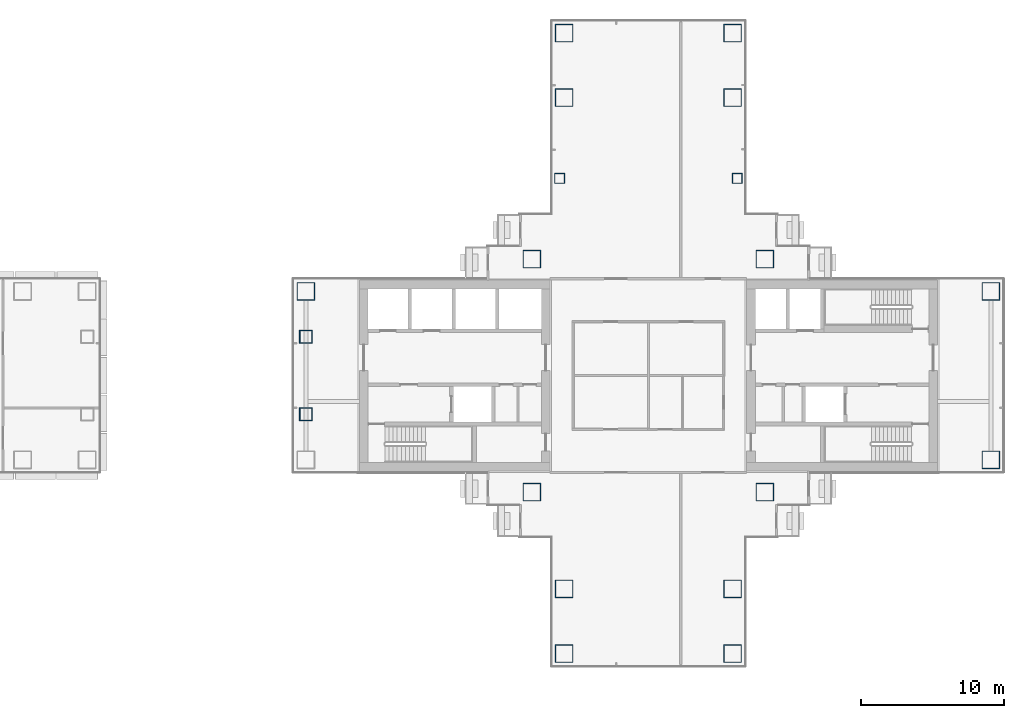
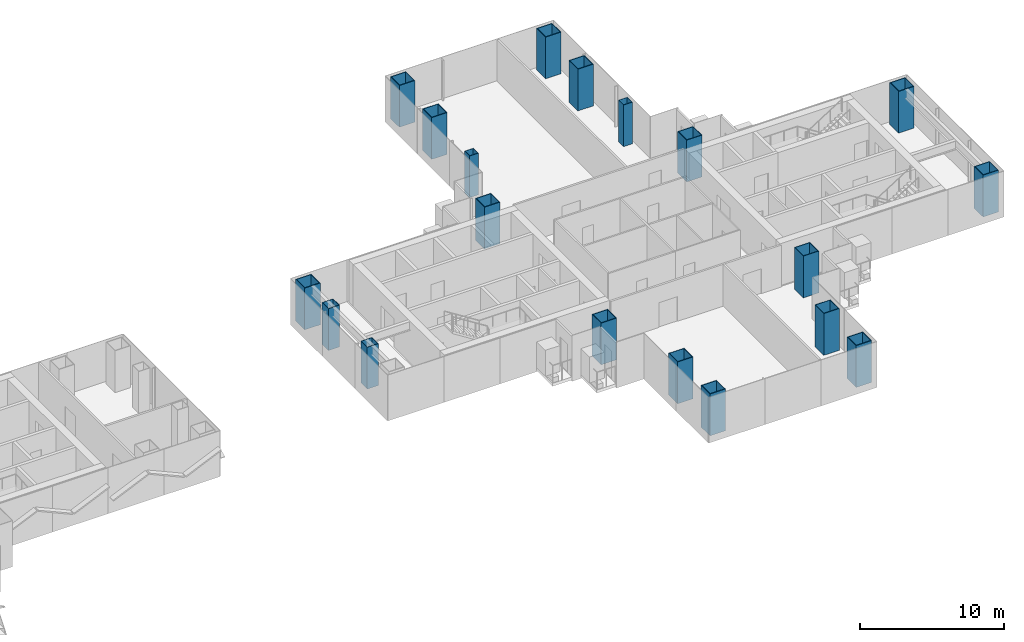
# One storey, part 2 of 19: 19 columns.
"""IFC4 building model written with IfcOpenShell, lengths in metres."""

from ifc_helpers import new_model, si_unit, direction, frame, origin, origin_2d, place, context, subcontext, project, spatial, hollow_rectangle, extrude, material, material_profile, profile_set, type_object, element, save


model = new_model("IFC4")

# Units and contexts
model_context = context("Model", 3, precision=1e-05, world=origin(), true_north=direction((0.0, 1.0)))
body_context = subcontext(model_context, "Body", "Model", "MODEL_VIEW")
ifc_project = project(units=[si_unit("LENGTHUNIT", "METRE"), si_unit("AREAUNIT", "SQUARE_METRE"), si_unit("VOLUMEUNIT", "CUBIC_METRE"), si_unit("PLANEANGLEUNIT", "RADIAN"), si_unit("MASSUNIT", "GRAM", prefix="KILO")], contexts=[model_context])

# Site, building, storey
site_placement = place(None, origin())
site = spatial("IfcSite", under=ifc_project, at=site_placement, CompositionType="ELEMENT")
building_placement = place(site_placement, origin())
building = spatial("IfcBuilding", under=site, at=building_placement, Name="Shamsa Quay Exchange Towers", CompositionType="ELEMENT")
storey_placement = place(building_placement, frame((0.0, 0.0, 89.699951171875)))
storey = spatial("IfcBuildingStorey", under=building, at=storey_placement, Name="L20", CompositionType="ELEMENT", Elevation=89.699951171875)

# Columns
ifc_material_1 = material(Name="Concrete-filled steel tube S355 / C80/95", Category="concrete")
ifc_material_profile_1 = material_profile(ifc_material_1, hollow_rectangle(XDim=1.25, YDim=1.25, WallThickness=0.050048828125, at=origin_2d()), Name="CFT 1250x1250x50")
ifc_profile_set_1 = profile_set([ifc_material_profile_1], Name="Concrete-filled steel tube S355 / C80/95")
column_type_1 = type_object("IfcColumnType", Name="Column CFT 1250x1250x50", PredefinedType="COLUMN", material=ifc_profile_set_1)
for number, where, name in (
    (1, (25.625, 8.125, 0.0), "Mega column T2-CM01"),
    (2, (41.875, 8.125, 0.0), "Mega column T2-CM02"),
    (3, (25.625, -8.125, 0.0), "Mega column T2-CM03"),
    (4, (41.875, -8.125, 0.0), "Mega column T2-CM04"),
    (5, (39.625, 19.375, 0.0), "Mega column T2-CM06"),
    (6, (39.625, 23.875, 0.0), "Mega column T2-CM07"),
    (7, (27.875, 19.375, 0.0), "Mega column T2-CM10"),
    (8, (27.875, 23.875, 0.0), "Mega column T2-CM11"),
    (9, (39.625, -14.875, 0.0), "Mega column T2-CM13"),
    (10, (39.625, -19.375, 0.0), "Mega column T2-CM14"),
    (11, (27.875, -14.875, 0.0), "Mega column T2-CM16"),
    (12, (27.875, -19.375, 0.0), "Mega column T2-CM17"),
    (13, (9.875, 5.875, 0.0), "Mega column T2-CM20"),
    (14, (57.625, -5.875, 0.0), "Mega column T2-CM21"),
    (15, (57.625, 5.875, 0.0), "Mega column T2-CM23"),
):
    element("IfcColumn", number, at=place(storey_placement, frame(where)), inside=storey, type_object=column_type_1, Name=name, PredefinedType="COLUMN", context=body_context, shape_type="SweptSolid", body=[
        extrude(hollow_rectangle(XDim=1.25, YDim=1.25, WallThickness=0.050048828125, at=origin_2d()), origin(), (0.0, 0.0, 1.0), 3.550048828125),
    ])
ifc_material_2 = material(Name="Concrete-filled steel tube S355 / C60/75", Category="concrete")
ifc_material_profile_2 = material_profile(ifc_material_2, hollow_rectangle(XDim=0.699951171875, YDim=0.699951171875, WallThickness=0.02490234375, at=origin_2d()), Name="CFT 700x700x25")
ifc_profile_set_2 = profile_set([ifc_material_profile_2], Name="Concrete-filled steel tube S355 / C60/75")
column_type_2 = type_object("IfcColumnType", Name="Column CFT 700x700x25", PredefinedType="COLUMN", material=ifc_profile_set_2)
for number, where, name in (
    (16, (39.9375, 13.75, 0.0), "Perimeter column T2-CP05"),
    (17, (27.5625, 13.75, 0.0), "Perimeter column T2-CP09"),
):
    element("IfcColumn", number, at=place(storey_placement, frame(where)), inside=storey, type_object=column_type_2, Name=name, PredefinedType="COLUMN", context=body_context, shape_type="SweptSolid", body=[
        extrude(hollow_rectangle(XDim=0.699951171875, YDim=0.699951171875, WallThickness=0.02490234375, at=origin_2d()), origin(), (0.0, 0.0, 1.0), 3.550048828125),
    ])
ifc_material_3 = material(Name="Concrete-filled steel tube S355 / C70/85", Category="concrete")
ifc_material_profile_3 = material_profile(ifc_material_3, hollow_rectangle(XDim=0.89990234375, YDim=0.89990234375, WallThickness=0.035888671875, at=origin_2d()), Name="CFT 900x900x36")
ifc_profile_set_3 = profile_set([ifc_material_profile_3], Name="Concrete-filled steel tube S355 / C70/85")
column_type_3 = type_object("IfcColumnType", Name="Landing column CFT 900x900x36", PredefinedType="COLUMN", material=ifc_profile_set_3)
for number, where, name in (
    (18, (9.875, -2.699951171875, 0.0), "Landing column T2 S"),
    (19, (9.875, 2.699951171875, 0.0), "Landing column T2 N"),
):
    element("IfcColumn", number, at=place(storey_placement, frame(where)), inside=storey, type_object=column_type_3, Name=name, PredefinedType="COLUMN", context=body_context, shape_type="SweptSolid", body=[
        extrude(hollow_rectangle(XDim=0.89990234375, YDim=0.89990234375, WallThickness=0.035888671875, at=origin_2d()), origin(), (0.0, 0.0, 1.0), 3.550048828125),
    ])

save(model, "model.ifc")
